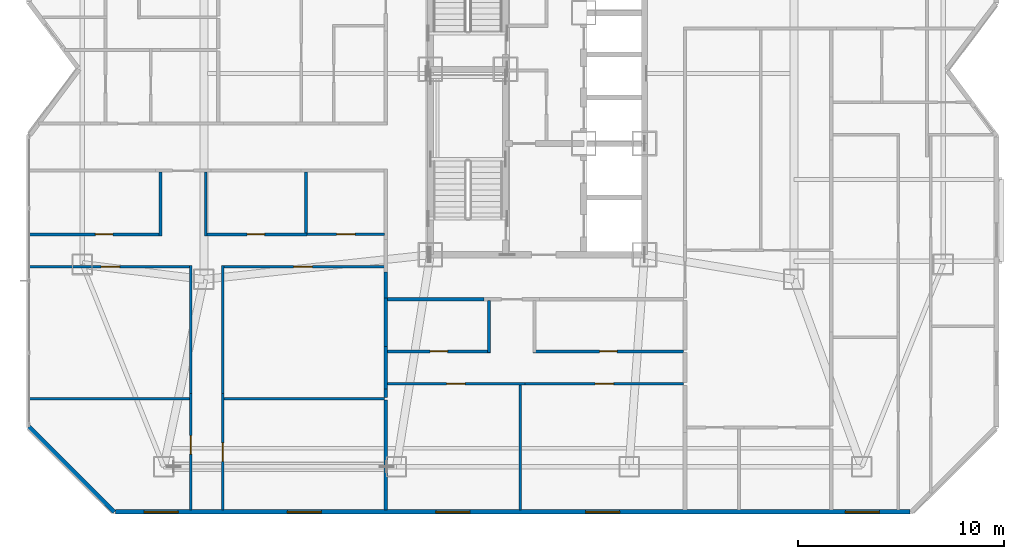
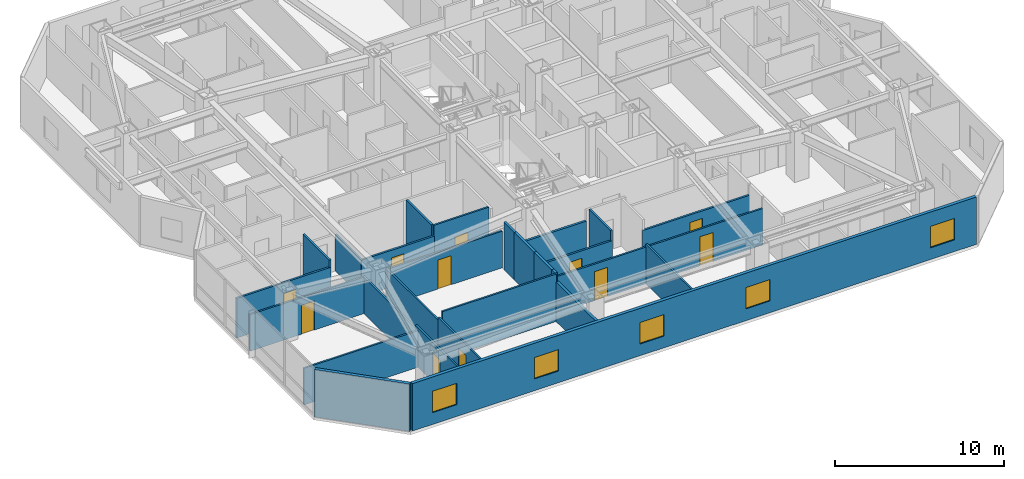
# One storey, part 11 of 19: 28 walls, 11 doors, 5 windows, 16 openings.
"""IFC4 building model written with IfcOpenShell, lengths in metres."""

from ifc_helpers import new_model, si_unit, direction, frame, frame_2d, origin, place, context, subcontext, project, spatial, rectangle, extrude, material, layer, layer_set, type_object, element, fill, save


model = new_model("IFC4")

# Units and contexts
model_context = context("Model", 3, precision=1e-05, world=origin(), true_north=direction((0.0, 1.0)))
body_context = subcontext(model_context, "Body", "Model", "MODEL_VIEW")
ifc_project = project(units=[si_unit("LENGTHUNIT", "METRE"), si_unit("AREAUNIT", "SQUARE_METRE"), si_unit("VOLUMEUNIT", "CUBIC_METRE"), si_unit("PLANEANGLEUNIT", "RADIAN"), si_unit("MASSUNIT", "GRAM", prefix="KILO")], contexts=[model_context])

# Site, building, storey
site_placement = place(None, origin())
site = spatial("IfcSite", under=ifc_project, at=site_placement, CompositionType="ELEMENT")
building_placement = place(site_placement, origin())
building = spatial("IfcBuilding", under=site, at=building_placement, Name="Khamvora Tower", CompositionType="ELEMENT")
storey_placement = place(building_placement, frame((0.0, 0.0, 120.14990234375)))
storey = spatial("IfcBuildingStorey", under=building, at=storey_placement, Name="L30", CompositionType="ELEMENT", Elevation=120.14990234375)

# Walls
ifc_material_1 = material(Name="Fire-Rated Drywall and Steel Stud", Category="steel")
ifc_layer_1 = layer(ifc_material_1, 0.14990234375)
ifc_layer_set_1 = layer_set([ifc_layer_1], Name="Fire-Rated Drywall and Steel Stud")
wall_type_1 = type_object("IfcWallType", Name="WAL-CORR-150", PredefinedType="STANDARD", material=ifc_layer_set_1)
wall_1_placement = place(storey_placement, frame((26.8349609375, 16.89990234375, 0.0), z_axis=(0.0, 0.0, 1.0), x_axis=(0.0, 1.0, 0.0)))
element("IfcWall", 1, at=wall_1_placement, inside=storey, type_object=wall_type_1, Name="L30 interior partition wall 013", PredefinedType="STANDARD", context=body_context, shape_type="SweptSolid", body=[
    extrude(rectangle(XDim=1.254150390625, YDim=0.14990234375, at=frame_2d((0.626953125, 0.0))), origin(), (0.0, 0.0, 1.0), 3.43017578125),
])
wall_2_placement = place(storey_placement, frame((31.60107421875, 16.8349609375, 0.0), z_axis=(0.0, 0.0, 1.0), x_axis=(-1.0, 0.0, 0.0)))
element("IfcWall", 2, at=wall_2_placement, inside=storey, type_object=wall_type_1, Name="L30 interior partition wall 025", PredefinedType="STANDARD", context=body_context, shape_type="SweptSolid", body=[
    extrude(rectangle(XDim=4.701171875, YDim=0.14990234375, at=frame_2d((2.3505859375, 0.0))), origin(), (0.0, 0.0, 1.0), 2.647216796875),
])
ifc_material_2 = material(Name="Acoustic Double-Stud Fire Wall", Category="gypsum")
ifc_layer_2 = layer(ifc_material_2, 0.179931640625)
ifc_layer_set_2 = layer_set([ifc_layer_2], Name="Acoustic Double-Stud Fire Wall")
wall_type_2 = type_object("IfcWallType", Name="WAL-CORR-180", PredefinedType="STANDARD", material=ifc_layer_set_2)
wall_3_placement = place(storey_placement, frame((26.8349609375, 11.93896484375, 0.0), z_axis=(0.0, 0.0, 1.0), x_axis=(0.0, -1.0, 0.0)))
element("IfcWall", 3, at=wall_3_placement, inside=storey, type_object=wall_type_2, Name="L30 interior partition wall 060", PredefinedType="STANDARD", context=body_context, shape_type="SweptSolid", body=[
    extrude(rectangle(XDim=5.326904296875, YDim=0.179931640625, at=frame_2d((2.66357421875, 0.0))), origin(), (0.0, 0.0, 1.0), 2.8759765625),
])
wall_4_placement = place(storey_placement, frame((26.8349609375, 14.553955078125, 0.0), z_axis=(0.0, 0.0, 1.0), x_axis=(0.0, -1.0, 0.0)))
element("IfcWall", 4, at=wall_4_placement, inside=storey, type_object=wall_type_2, Name="L30 interior partition wall 061", PredefinedType="STANDARD", context=body_context, shape_type="SweptSolid", body=[
    extrude(rectangle(XDim=2.077880859375, YDim=0.179931640625, at=frame_2d((1.0390625, 0.0))), origin(), (0.0, 0.0, 1.0), 3.43017578125),
])
wall_5_placement = place(storey_placement, frame((26.8349609375, 16.89990234375, 0.0), z_axis=(0.0, 0.0, 1.0), x_axis=(0.0, -1.0, 0.0)))
element("IfcWall", 5, at=wall_5_placement, inside=storey, type_object=wall_type_2, Name="L30 interior partition wall 062", PredefinedType="STANDARD", context=body_context, shape_type="SweptSolid", body=[
    extrude(rectangle(XDim=2.345947265625, YDim=0.179931640625, at=frame_2d((1.1728515625, 0.0))), origin(), (0.0, 0.0, 1.0), 3.43017578125),
])
wall_6_placement = place(storey_placement, frame((26.8349609375, 12.47607421875, 0.0), z_axis=(0.0, 0.0, 1.0), x_axis=(0.0, -1.0, 0.0)))
element("IfcWall", 6, at=wall_6_placement, inside=storey, type_object=wall_type_2, Name="L30 interior partition wall 063", PredefinedType="STANDARD", context=body_context, shape_type="SweptSolid", body=[
    extrude(rectangle(XDim=0.406982421875, YDim=0.179931640625, at=frame_2d((0.20361328125, 0.0))), origin(), (0.0, 0.0, 1.0), 3.43017578125),
])
ifc_material_3 = material(Name="Precast concrete C40/50", Category="concrete")
ifc_layer_3 = layer(ifc_material_3, 0.219970703125)
ifc_layer_set_3 = layer_set([ifc_layer_3], Name="Precast concrete C40/50")
wall_type_3 = type_object("IfcWallType", Name="WAL-EXT-220", PredefinedType="STANDARD", material=ifc_layer_set_3)
wall_7_placement = place(storey_placement, frame((13.64599609375, 6.510009765625, 0.0), z_axis=(0.0, 0.0, 1.0), x_axis=(-0.707106781187, 0.707106781187, 0.0)))
element("IfcWall", 7, at=wall_7_placement, inside=storey, type_object=wall_type_3, Name="L30 exterior facade wall 01.1", PredefinedType="STANDARD", context=body_context, shape_type="SweptSolid", body=[
    extrude(rectangle(XDim=5.84912109375, YDim=0.219970703125, at=frame_2d((2.924560546875, 0.0))), origin(), (0.0, 0.0, 1.0), 3.43017578125),
])

# Wall, openings, windows
wall_8_placement = place(storey_placement, frame((52.282958984375, 6.510009765625, 0.0), z_axis=(0.0, 0.0, 1.0), x_axis=(-1.0, 0.0, 0.0)))
wall_8 = element("IfcWall", 8, at=wall_8_placement, inside=storey, type_object=wall_type_3, Name="L30 exterior facade wall 14.1", PredefinedType="STANDARD", context=body_context, shape_type="SweptSolid", body=[
    extrude(rectangle(XDim=38.56787109375, YDim=0.219970703125, at=frame_2d((19.283935546875, 0.0))), origin(), (0.0, 0.0, 1.0), 3.43017578125),
])
opening_1_placement = place(wall_8_placement, frame((35.530029296875, 0.0, 0.85009765625)))
opening_1 = element("IfcOpeningElement", 9, at=opening_1_placement, cuts=wall_8, Name="Opening WN-06", PredefinedType="OPENING", context=body_context, shape_type="SweptSolid", body=[
    extrude(rectangle(XDim=1.64990234375, YDim=1.550048828125, at=frame_2d((0.824951171875, 0.77490234375))), frame((0.0, 0.119873046875, 0.0), z_axis=(0.0, -1.0, 0.0), x_axis=(1.0, 0.0, 0.0)), (0.0, 0.0, 1.0), 0.239990234375),
])
opening_2_placement = place(wall_8_placement, frame((28.577880859375, 0.0, 0.85009765625)))
opening_2 = element("IfcOpeningElement", 10, at=opening_2_placement, cuts=wall_8, Name="Opening WN-06", PredefinedType="OPENING", context=body_context, shape_type="SweptSolid", body=[
    extrude(rectangle(XDim=1.64990234375, YDim=1.550048828125, at=frame_2d((0.824951171875, 0.77490234375))), frame((0.0, 0.119873046875, 0.0), z_axis=(0.0, -1.0, 0.0), x_axis=(1.0, 0.0, 0.0)), (0.0, 0.0, 1.0), 0.239990234375),
])
opening_3_placement = place(wall_8_placement, frame((21.362060546875, 0.0, 0.85009765625)))
opening_3 = element("IfcOpeningElement", 11, at=opening_3_placement, cuts=wall_8, Name="Opening WN-06", PredefinedType="OPENING", context=body_context, shape_type="SweptSolid", body=[
    extrude(rectangle(XDim=1.64990234375, YDim=1.550048828125, at=frame_2d((0.824951171875, 0.77490234375))), frame((0.0, 0.119873046875, 0.0), z_axis=(0.0, -1.0, 0.0), x_axis=(1.0, 0.0, 0.0)), (0.0, 0.0, 1.0), 0.239990234375),
])
opening_4_placement = place(wall_8_placement, frame((14.096923828125, 0.0, 0.85009765625)))
opening_4 = element("IfcOpeningElement", 12, at=opening_4_placement, cuts=wall_8, Name="Opening WN-06", PredefinedType="OPENING", context=body_context, shape_type="SweptSolid", body=[
    extrude(rectangle(XDim=1.64990234375, YDim=1.550048828125, at=frame_2d((0.824951171875, 0.77490234375))), frame((0.0, 0.119873046875, 0.0), z_axis=(0.0, -1.0, 0.0), x_axis=(1.0, 0.0, 0.0)), (0.0, 0.0, 1.0), 0.239990234375),
])
opening_5_placement = place(wall_8_placement, frame((1.47900390625, 0.0, 0.85009765625)))
opening_5 = element("IfcOpeningElement", 13, at=opening_5_placement, cuts=wall_8, Name="Opening WN-06", PredefinedType="OPENING", context=body_context, shape_type="SweptSolid", body=[
    extrude(rectangle(XDim=1.64990234375, YDim=1.550048828125, at=frame_2d((0.824951171875, 0.77490234375))), frame((0.0, 0.119873046875, 0.0), z_axis=(0.0, -1.0, 0.0), x_axis=(1.0, 0.0, 0.0)), (0.0, 0.0, 1.0), 0.239990234375),
])
ifc_material_4 = material(Name="Low-E Laminated Double Glazing", Category="glass")
window_type = type_object("IfcWindowType", Name="WIN-VIS-1650x1550", PartitioningType="SINGLE_PANEL", PredefinedType="WINDOW", material=ifc_material_4)
window_1_placement = place(opening_1_placement, origin())
window_1 = element("IfcWindow", 14, at=window_1_placement, inside=storey, type_object=window_type, Name="L30 vision window 14.1.01", OverallHeight=1.550048828125, OverallWidth=1.64990234375, PartitioningType="SINGLE_PANEL", PredefinedType="WINDOW", context=body_context, shape_type="SweptSolid", body=[
    extrude(rectangle(XDim=1.64990234375, YDim=1.550048828125, at=frame_2d((0.824951171875, 0.77490234375))), frame((0.0, 0.030029296875, 0.0), z_axis=(0.0, -1.0, 0.0), x_axis=(1.0, 0.0, 0.0)), (0.0, 0.0, 1.0), 0.06005859375),
])
fill(opening_1, window_1)
window_2_placement = place(opening_2_placement, origin())
window_2 = element("IfcWindow", 15, at=window_2_placement, inside=storey, type_object=window_type, Name="L30 vision window 14.1.02", OverallHeight=1.550048828125, OverallWidth=1.64990234375, PartitioningType="SINGLE_PANEL", PredefinedType="WINDOW", context=body_context, shape_type="SweptSolid", body=[
    extrude(rectangle(XDim=1.64990234375, YDim=1.550048828125, at=frame_2d((0.824951171875, 0.77490234375))), frame((0.0, 0.030029296875, 0.0), z_axis=(0.0, -1.0, 0.0), x_axis=(1.0, 0.0, 0.0)), (0.0, 0.0, 1.0), 0.06005859375),
])
fill(opening_2, window_2)
window_3_placement = place(opening_3_placement, origin())
window_3 = element("IfcWindow", 16, at=window_3_placement, inside=storey, type_object=window_type, Name="L30 vision window 14.1.03", OverallHeight=1.550048828125, OverallWidth=1.64990234375, PartitioningType="SINGLE_PANEL", PredefinedType="WINDOW", context=body_context, shape_type="SweptSolid", body=[
    extrude(rectangle(XDim=1.64990234375, YDim=1.550048828125, at=frame_2d((0.824951171875, 0.77490234375))), frame((0.0, 0.030029296875, 0.0), z_axis=(0.0, -1.0, 0.0), x_axis=(1.0, 0.0, 0.0)), (0.0, 0.0, 1.0), 0.06005859375),
])
fill(opening_3, window_3)
window_4_placement = place(opening_4_placement, origin())
window_4 = element("IfcWindow", 17, at=window_4_placement, inside=storey, type_object=window_type, Name="L30 vision window 14.1.04", OverallHeight=1.550048828125, OverallWidth=1.64990234375, PartitioningType="SINGLE_PANEL", PredefinedType="WINDOW", context=body_context, shape_type="SweptSolid", body=[
    extrude(rectangle(XDim=1.64990234375, YDim=1.550048828125, at=frame_2d((0.824951171875, 0.77490234375))), frame((0.0, 0.030029296875, 0.0), z_axis=(0.0, -1.0, 0.0), x_axis=(1.0, 0.0, 0.0)), (0.0, 0.0, 1.0), 0.06005859375),
])
fill(opening_4, window_4)
window_5_placement = place(opening_5_placement, origin())
window_5 = element("IfcWindow", 18, at=window_5_placement, inside=storey, type_object=window_type, Name="L30 vision window 14.1.05", OverallHeight=1.550048828125, OverallWidth=1.64990234375, PartitioningType="SINGLE_PANEL", PredefinedType="WINDOW", context=body_context, shape_type="SweptSolid", body=[
    extrude(rectangle(XDim=1.64990234375, YDim=1.550048828125, at=frame_2d((0.824951171875, 0.77490234375))), frame((0.0, 0.030029296875, 0.0), z_axis=(0.0, -1.0, 0.0), x_axis=(1.0, 0.0, 0.0)), (0.0, 0.0, 1.0), 0.06005859375),
])
fill(opening_5, window_5)

# Wall, opening, door
ifc_material_5 = material(Name="Gypsum Plasterboard Partition", Category="gypsum")
ifc_layer_4 = layer(ifc_material_5, 0.1201171875)
ifc_layer_set_4 = layer_set([ifc_layer_4], Name="Gypsum Plasterboard Partition")
wall_type_4 = type_object("IfcWallType", Name="WAL-PART-120", PredefinedType="PARTITIONING", material=ifc_layer_set_4)
wall_9_placement = place(storey_placement, frame((26.77001953125, 19.98291015625, 0.0), z_axis=(0.0, 0.0, 1.0), x_axis=(-1.0, 0.0, 0.0)))
wall_9 = element("IfcWall", 19, at=wall_9_placement, inside=storey, type_object=wall_type_4, Name="L30 interior partition wall 046", PredefinedType="PARTITIONING", context=body_context, shape_type="SweptSolid", body=[
    extrude(rectangle(XDim=3.75, YDim=0.1201171875, at=frame_2d((1.875, 0.0))), origin(), (0.0, 0.0, 1.0), 3.43017578125),
])
opening_6_placement = place(wall_9_placement, frame((1.425048828125, 0.0, 0.0)))
opening_6 = element("IfcOpeningElement", 20, at=opening_6_placement, cuts=wall_9, Name="Opening D-RM1", PredefinedType="OPENING", context=body_context, shape_type="SweptSolid", body=[
    extrude(rectangle(XDim=0.89990234375, YDim=2.10009765625, at=frame_2d((0.449951171875, 1.050048828125))), frame((0.0, 0.070068359375, 0.0), z_axis=(0.0, -1.0, 0.0), x_axis=(1.0, 0.0, 0.0)), (0.0, 0.0, 1.0), 0.14013671875),
])
ifc_material_6 = material(Name="Powder-Coated Steel and Hardwood Leaf", Category="steel")
door_type_1 = type_object("IfcDoorType", Name="DOR-ROOM-900", OperationType="NOTDEFINED", PredefinedType="DOOR", material=ifc_material_6)
door_1_placement = place(opening_6_placement, origin())
door_1 = element("IfcDoor", 21, at=door_1_placement, inside=storey, type_object=door_type_1, Name="L30 interior door 30WAW2-30WAH", OperationType="SINGLE_SWING_RIGHT", OverallHeight=2.10009765625, OverallWidth=0.89990234375, PredefinedType="DOOR", context=body_context, shape_type="SweptSolid", body=[
    extrude(rectangle(XDim=0.89990234375, YDim=2.10009765625, at=frame_2d((0.449951171875, 1.050048828125))), frame((0.0, 0.02490234375, 0.0), z_axis=(0.0, -1.0, 0.0), x_axis=(1.0, 0.0, 0.0)), (0.0, 0.0, 1.0), 0.050048828125),
])
fill(opening_6, door_1)

wall_10_placement = place(storey_placement, frame((17.35498046875, 6.612060546875, 0.0), z_axis=(0.0, 0.0, 1.0), x_axis=(0.0, 1.0, 0.0)))
wall_10 = element("IfcWall", 22, at=wall_10_placement, inside=storey, type_object=wall_type_4, Name="L30 interior partition wall 052", PredefinedType="PARTITIONING", context=body_context, shape_type="SweptSolid", body=[
    extrude(rectangle(XDim=5.641845703125, YDim=0.1201171875, at=frame_2d((2.82080078125, 0.0))), origin(), (0.0, 0.0, 1.0), 2.8759765625),
])
opening_7_placement = place(wall_10_placement, frame((2.700927734375, 0.0, 0.0)))
opening_7 = element("IfcOpeningElement", 23, at=opening_7_placement, cuts=wall_10, Name="Opening D-RM1", PredefinedType="OPENING", context=body_context, shape_type="SweptSolid", body=[
    extrude(rectangle(XDim=0.89990234375, YDim=2.10009765625, at=frame_2d((0.449951171875, 1.050048828125))), frame((0.0, 0.070068359375, 0.0), z_axis=(0.0, -1.0, 0.0), x_axis=(1.0, 0.0, 0.0)), (0.0, 0.0, 1.0), 0.14013671875),
])
door_2_placement = place(opening_7_placement, origin())
door_2 = element("IfcDoor", 24, at=door_2_placement, inside=storey, type_object=door_type_1, Name="L30 interior door 30WAH-30WAL", OperationType="SINGLE_SWING_RIGHT", OverallHeight=2.10009765625, OverallWidth=0.89990234375, PredefinedType="DOOR", context=body_context, shape_type="SweptSolid", body=[
    extrude(rectangle(XDim=0.89990234375, YDim=2.10009765625, at=frame_2d((0.449951171875, 1.050048828125))), frame((0.0, 0.02490234375, 0.0), z_axis=(0.0, -1.0, 0.0), x_axis=(1.0, 0.0, 0.0)), (0.0, 0.0, 1.0), 0.050048828125),
])
fill(opening_7, door_2)

# Wall
wall_11_placement = place(storey_placement, frame((17.35498046875, 12.25390625, 0.0), z_axis=(0.0, 0.0, 1.0), x_axis=(0.0, 1.0, 0.0)))
element("IfcWall", 25, at=wall_11_placement, inside=storey, type_object=wall_type_4, Name="L30 interior partition wall 053", PredefinedType="PARTITIONING", context=body_context, shape_type="SweptSolid", body=[
    extrude(rectangle(XDim=6.214111328125, YDim=0.1201171875, at=frame_2d((3.10693359375, 0.0))), origin(), (0.0, 0.0, 1.0), 2.647216796875),
])

# Wall, opening, door
wall_12_placement = place(storey_placement, frame((17.419921875, 18.403076171875, 0.0), z_axis=(0.0, 0.0, 1.0), x_axis=(-1.0, 0.0, 0.0)))
wall_12 = element("IfcWall", 26, at=wall_12_placement, inside=storey, type_object=wall_type_4, Name="L30 interior partition wall 054", PredefinedType="PARTITIONING", context=body_context, shape_type="SweptSolid", body=[
    extrude(rectangle(XDim=7.909912109375, YDim=0.1201171875, at=frame_2d((3.955078125, 0.0))), origin(), (0.0, 0.0, 1.0), 2.647216796875),
])
opening_8_placement = place(wall_12_placement, frame((3.5048828125, 0.0, 0.0)))
opening_8 = element("IfcOpeningElement", 27, at=opening_8_placement, cuts=wall_12, Name="Opening D-RM1", PredefinedType="OPENING", context=body_context, shape_type="SweptSolid", body=[
    extrude(rectangle(XDim=0.89990234375, YDim=2.10009765625, at=frame_2d((0.449951171875, 1.050048828125))), frame((0.0, 0.070068359375, 0.0), z_axis=(0.0, -1.0, 0.0), x_axis=(1.0, 0.0, 0.0)), (0.0, 0.0, 1.0), 0.14013671875),
])
door_3_placement = place(opening_8_placement, origin())
door_3 = element("IfcDoor", 28, at=door_3_placement, inside=storey, type_object=door_type_1, Name="L30 interior door 30WAH-30WAR2", OperationType="SINGLE_SWING_LEFT", OverallHeight=2.10009765625, OverallWidth=0.89990234375, PredefinedType="DOOR", context=body_context, shape_type="SweptSolid", body=[
    extrude(rectangle(XDim=0.89990234375, YDim=2.10009765625, at=frame_2d((0.449951171875, 1.050048828125))), frame((0.0, 0.02490234375, 0.0), z_axis=(0.0, -1.0, 0.0), x_axis=(1.0, 0.0, 0.0)), (0.0, 0.0, 1.0), 0.050048828125),
])
fill(opening_8, door_3)

wall_13_placement = place(storey_placement, frame((18.925048828125, 12.25390625, 0.0), z_axis=(0.0, 0.0, 1.0), x_axis=(0.0, -1.0, 0.0)))
wall_13 = element("IfcWall", 29, at=wall_13_placement, inside=storey, type_object=wall_type_4, Name="L30 interior partition wall 055", PredefinedType="PARTITIONING", context=body_context, shape_type="SweptSolid", body=[
    extrude(rectangle(XDim=5.641845703125, YDim=0.1201171875, at=frame_2d((2.82080078125, 0.0))), origin(), (0.0, 0.0, 1.0), 2.8759765625),
])
opening_9_placement = place(wall_13_placement, frame((2.39306640625, 0.0, 0.0)))
opening_9 = element("IfcOpeningElement", 30, at=opening_9_placement, cuts=wall_13, Name="Opening D-RM1", PredefinedType="OPENING", context=body_context, shape_type="SweptSolid", body=[
    extrude(rectangle(XDim=0.89990234375, YDim=2.10009765625, at=frame_2d((0.449951171875, 1.050048828125))), frame((0.0, 0.070068359375, 0.0), z_axis=(0.0, -1.0, 0.0), x_axis=(1.0, 0.0, 0.0)), (0.0, 0.0, 1.0), 0.14013671875),
])
door_4_placement = place(opening_9_placement, origin())
door_4 = element("IfcDoor", 31, at=door_4_placement, inside=storey, type_object=door_type_1, Name="L30 interior door 30WAH-30WAR3", OperationType="SINGLE_SWING_LEFT", OverallHeight=2.10009765625, OverallWidth=0.89990234375, PredefinedType="DOOR", context=body_context, shape_type="SweptSolid", body=[
    extrude(rectangle(XDim=0.89990234375, YDim=2.10009765625, at=frame_2d((0.449951171875, 1.050048828125))), frame((0.0, 0.02490234375, 0.0), z_axis=(0.0, -1.0, 0.0), x_axis=(1.0, 0.0, 0.0)), (0.0, 0.0, 1.0), 0.050048828125),
])
fill(opening_9, door_4)

wall_14_placement = place(storey_placement, frame((26.77001953125, 18.403076171875, 0.0), z_axis=(0.0, 0.0, 1.0), x_axis=(-1.0, 0.0, 0.0)))
wall_14 = element("IfcWall", 32, at=wall_14_placement, inside=storey, type_object=wall_type_4, Name="L30 interior partition wall 056", PredefinedType="PARTITIONING", context=body_context, shape_type="SweptSolid", body=[
    extrude(rectangle(XDim=7.909912109375, YDim=0.1201171875, at=frame_2d((3.955078125, 0.0))), origin(), (0.0, 0.0, 1.0), 2.647216796875),
])
opening_10_placement = place(wall_14_placement, frame((3.5048828125, 0.0, 0.0)))
opening_10 = element("IfcOpeningElement", 33, at=opening_10_placement, cuts=wall_14, Name="Opening D-RM1", PredefinedType="OPENING", context=body_context, shape_type="SweptSolid", body=[
    extrude(rectangle(XDim=0.89990234375, YDim=2.10009765625, at=frame_2d((0.449951171875, 1.050048828125))), frame((0.0, 0.070068359375, 0.0), z_axis=(0.0, -1.0, 0.0), x_axis=(1.0, 0.0, 0.0)), (0.0, 0.0, 1.0), 0.14013671875),
])
door_5_placement = place(opening_10_placement, origin())
door_5 = element("IfcDoor", 34, at=door_5_placement, inside=storey, type_object=door_type_1, Name="L30 interior door 30WAH-30WAR4", OperationType="SINGLE_SWING_RIGHT", OverallHeight=2.10009765625, OverallWidth=0.89990234375, PredefinedType="DOOR", context=body_context, shape_type="SweptSolid", body=[
    extrude(rectangle(XDim=0.89990234375, YDim=2.10009765625, at=frame_2d((0.449951171875, 1.050048828125))), frame((0.0, 0.02490234375, 0.0), z_axis=(0.0, -1.0, 0.0), x_axis=(1.0, 0.0, 0.0)), (0.0, 0.0, 1.0), 0.050048828125),
])
fill(opening_10, door_5)

# Walls
wall_15_placement = place(storey_placement, frame((18.925048828125, 18.468017578125, 0.0), z_axis=(0.0, 0.0, 1.0), x_axis=(0.0, -1.0, 0.0)))
element("IfcWall", 35, at=wall_15_placement, inside=storey, type_object=wall_type_4, Name="L30 interior partition wall 057", PredefinedType="PARTITIONING", context=body_context, shape_type="SweptSolid", body=[
    extrude(rectangle(XDim=6.214111328125, YDim=0.1201171875, at=frame_2d((3.10693359375, 0.0))), origin(), (0.0, 0.0, 1.0), 2.647216796875),
])
wall_16_placement = place(storey_placement, frame((9.510009765625, 12.00390625, 0.0), z_axis=(0.0, 0.0, 1.0), x_axis=(1.0, 0.0, 0.0)))
element("IfcWall", 36, at=wall_16_placement, inside=storey, type_object=wall_type_4, Name="L30 interior partition wall 058", PredefinedType="PARTITIONING", context=body_context, shape_type="SweptSolid", body=[
    extrude(rectangle(XDim=7.791015625, YDim=0.1201171875, at=frame_2d((3.8955078125, 0.0))), origin(), (0.0, 0.0, 1.0), 2.647216796875),
])
wall_17_placement = place(storey_placement, frame((18.97900390625, 12.00390625, 0.0), z_axis=(0.0, 0.0, 1.0), x_axis=(1.0, 0.0, 0.0)))
element("IfcWall", 37, at=wall_17_placement, inside=storey, type_object=wall_type_4, Name="L30 interior partition wall 059", PredefinedType="PARTITIONING", context=body_context, shape_type="SweptSolid", body=[
    extrude(rectangle(XDim=7.791015625, YDim=0.1201171875, at=frame_2d((3.8955078125, 0.0))), origin(), (0.0, 0.0, 1.0), 3.43017578125),
])

# Wall, opening, door
wall_18_placement = place(storey_placement, frame((33.60693359375, 12.72509765625, 0.0), z_axis=(0.0, 0.0, 1.0), x_axis=(-1.0, 0.0, 0.0)))
wall_18 = element("IfcWall", 38, at=wall_18_placement, inside=storey, type_object=wall_type_4, Name="L30 interior partition wall 103", PredefinedType="PARTITIONING", context=body_context, shape_type="SweptSolid", body=[
    extrude(rectangle(XDim=6.68994140625, YDim=0.1201171875, at=frame_2d((3.344970703125, 0.0))), origin(), (0.0, 0.0, 1.0), 2.647216796875),
])
opening_11_placement = place(wall_18_placement, frame((2.9169921875, 0.0, 0.0)))
opening_11 = element("IfcOpeningElement", 39, at=opening_11_placement, cuts=wall_18, Name="Opening D-RM1", PredefinedType="OPENING", context=body_context, shape_type="SweptSolid", body=[
    extrude(rectangle(XDim=0.89990234375, YDim=2.10009765625, at=frame_2d((0.449951171875, 1.050048828125))), frame((0.0, 0.070068359375, 0.0), z_axis=(0.0, -1.0, 0.0), x_axis=(1.0, 0.0, 0.0)), (0.0, 0.0, 1.0), 0.14013671875),
])
door_6_placement = place(opening_11_placement, origin())
door_6 = element("IfcDoor", 40, at=door_6_placement, inside=storey, type_object=door_type_1, Name="L30 interior door 30SAH-30SAR1", OperationType="SINGLE_SWING_LEFT", OverallHeight=2.10009765625, OverallWidth=0.89990234375, PredefinedType="DOOR", context=body_context, shape_type="SweptSolid", body=[
    extrude(rectangle(XDim=0.89990234375, YDim=2.10009765625, at=frame_2d((0.449951171875, 1.050048828125))), frame((0.0, 0.02490234375, 0.0), z_axis=(0.0, -1.0, 0.0), x_axis=(1.0, 0.0, 0.0)), (0.0, 0.0, 1.0), 0.050048828125),
])
fill(opening_11, door_6)

wall_19_placement = place(storey_placement, frame((41.300048828125, 12.72509765625, 0.0), z_axis=(0.0, 0.0, 1.0), x_axis=(-1.0, 0.0, 0.0)))
wall_19 = element("IfcWall", 41, at=wall_19_placement, inside=storey, type_object=wall_type_4, Name="L30 interior partition wall 104", PredefinedType="PARTITIONING", context=body_context, shape_type="SweptSolid", body=[
    extrude(rectangle(XDim=7.693115234375, YDim=0.1201171875, at=frame_2d((3.8466796875, 0.0))), origin(), (0.0, 0.0, 1.0), 2.647216796875),
])
opening_12_placement = place(wall_19_placement, frame((3.39599609375, 0.0, 0.0)))
opening_12 = element("IfcOpeningElement", 42, at=opening_12_placement, cuts=wall_19, Name="Opening D-RM1", PredefinedType="OPENING", context=body_context, shape_type="SweptSolid", body=[
    extrude(rectangle(XDim=0.89990234375, YDim=2.10009765625, at=frame_2d((0.449951171875, 1.050048828125))), frame((0.0, 0.070068359375, 0.0), z_axis=(0.0, -1.0, 0.0), x_axis=(1.0, 0.0, 0.0)), (0.0, 0.0, 1.0), 0.14013671875),
])
door_7_placement = place(opening_12_placement, origin())
door_7 = element("IfcDoor", 43, at=door_7_placement, inside=storey, type_object=door_type_1, Name="L30 interior door 30SAH-30SAR2", OperationType="SINGLE_SWING_RIGHT", OverallHeight=2.10009765625, OverallWidth=0.89990234375, PredefinedType="DOOR", context=body_context, shape_type="SweptSolid", body=[
    extrude(rectangle(XDim=0.89990234375, YDim=2.10009765625, at=frame_2d((0.449951171875, 1.050048828125))), frame((0.0, 0.02490234375, 0.0), z_axis=(0.0, -1.0, 0.0), x_axis=(1.0, 0.0, 0.0)), (0.0, 0.0, 1.0), 0.050048828125),
])
fill(opening_12, door_7)

# Walls
wall_20_placement = place(storey_placement, frame((33.35693359375, 12.6708984375, 0.0), z_axis=(0.0, 0.0, 1.0), x_axis=(0.0, -1.0, 0.0)))
element("IfcWall", 44, at=wall_20_placement, inside=storey, type_object=wall_type_4, Name="L30 interior partition wall 107", PredefinedType="PARTITIONING", context=body_context, shape_type="SweptSolid", body=[
    extrude(rectangle(XDim=6.058837890625, YDim=0.1201171875, at=frame_2d((3.029296875, 0.0))), origin(), (0.0, 0.0, 1.0), 2.8759765625),
])
ifc_material_7 = material(Name="Moisture-Resistant Plasterboard Partition", Category="gypsum")
ifc_layer_5 = layer(ifc_material_7, 0.135009765625)
ifc_layer_set_5 = layer_set([ifc_layer_5], Name="Moisture-Resistant Plasterboard Partition")
wall_type_5 = type_object("IfcWallType", Name="WAL-WET-135", PredefinedType="PARTITIONING", material=ifc_layer_set_5)
wall_21_placement = place(storey_placement, frame((22.955078125, 20.048095703125, 0.0), z_axis=(0.0, 0.0, 1.0), x_axis=(0.0, 1.0, 0.0)))
element("IfcWall", 45, at=wall_21_placement, inside=storey, type_object=wall_type_5, Name="L30 interior partition wall 047", PredefinedType="PARTITIONING", context=body_context, shape_type="SweptSolid", body=[
    extrude(rectangle(XDim=2.971923828125, YDim=0.135009765625, at=frame_2d((1.48583984375, 0.0))), origin(), (0.0, 0.0, 1.0), 3.43017578125),
])
wall_22_placement = place(storey_placement, frame((18.090087890625, 23.02001953125, 0.0), z_axis=(0.0, 0.0, 1.0), x_axis=(0.0, -1.0, 0.0)))
element("IfcWall", 46, at=wall_22_placement, inside=storey, type_object=wall_type_5, Name="L30 interior partition wall 048", PredefinedType="PARTITIONING", context=body_context, shape_type="SweptSolid", body=[
    extrude(rectangle(XDim=3.10205078125, YDim=0.135009765625, at=frame_2d((1.551025390625, 0.0))), origin(), (0.0, 0.0, 1.0), 2.647216796875),
])

# Wall, opening, door
wall_23_placement = place(storey_placement, frame((18.02490234375, 19.98291015625, 0.0), z_axis=(0.0, 0.0, 1.0), x_axis=(1.0, 0.0, 0.0)))
wall_23 = element("IfcWall", 47, at=wall_23_placement, inside=storey, type_object=wall_type_5, Name="L30 interior partition wall 049", PredefinedType="PARTITIONING", context=body_context, shape_type="SweptSolid", body=[
    extrude(rectangle(XDim=4.9951171875, YDim=0.135009765625, at=frame_2d((2.49755859375, 0.0))), origin(), (0.0, 0.0, 1.0), 2.647216796875),
])
opening_13_placement = place(wall_23_placement, frame((2.072998046875, 0.0, 0.0)))
opening_13 = element("IfcOpeningElement", 48, at=opening_13_placement, cuts=wall_23, Name="Opening D-WC1", PredefinedType="OPENING", context=body_context, shape_type="SweptSolid", body=[
    extrude(rectangle(XDim=0.85009765625, YDim=2.10009765625, at=frame_2d((0.425048828125, 1.050048828125))), frame((0.0, 0.077392578125, 0.0), z_axis=(0.0, -1.0, 0.0), x_axis=(1.0, 0.0, 0.0)), (0.0, 0.0, 1.0), 0.155029296875),
])
door_type_2 = type_object("IfcDoorType", Name="DOR-WET-850", OperationType="NOTDEFINED", PredefinedType="DOOR", material=ifc_material_6)
door_8_placement = place(opening_13_placement, origin())
door_8 = element("IfcDoor", 49, at=door_8_placement, inside=storey, type_object=door_type_2, Name="L30 interior door 30WAH-30WAB", OperationType="SINGLE_SWING_LEFT", OverallHeight=2.10009765625, OverallWidth=0.85009765625, PredefinedType="DOOR", context=body_context, shape_type="SweptSolid", body=[
    extrude(rectangle(XDim=0.85009765625, YDim=2.10009765625, at=frame_2d((0.425048828125, 1.050048828125))), frame((0.0, 0.02490234375, 0.0), z_axis=(0.0, -1.0, 0.0), x_axis=(1.0, 0.0, 0.0)), (0.0, 0.0, 1.0), 0.050048828125),
])
fill(opening_13, door_8)

wall_24_placement = place(storey_placement, frame((9.510009765625, 19.98291015625, 0.0), z_axis=(0.0, 0.0, 1.0), x_axis=(1.0, 0.0, 0.0)))
wall_24 = element("IfcWall", 50, at=wall_24_placement, inside=storey, type_object=wall_type_5, Name="L30 interior partition wall 050", PredefinedType="PARTITIONING", context=body_context, shape_type="SweptSolid", body=[
    extrude(rectangle(XDim=6.445068359375, YDim=0.135009765625, at=frame_2d((3.22265625, 0.0))), origin(), (0.0, 0.0, 1.0), 2.8759765625),
])
opening_14_placement = place(wall_24_placement, frame((3.217041015625, 0.0, 0.0)))
opening_14 = element("IfcOpeningElement", 51, at=opening_14_placement, cuts=wall_24, Name="Opening D-RM2", PredefinedType="OPENING", context=body_context, shape_type="SweptSolid", body=[
    extrude(rectangle(XDim=0.85009765625, YDim=2.10009765625, at=frame_2d((0.425048828125, 1.050048828125))), frame((0.0, 0.077392578125, 0.0), z_axis=(0.0, -1.0, 0.0), x_axis=(1.0, 0.0, 0.0)), (0.0, 0.0, 1.0), 0.155029296875),
])
door_type_3 = type_object("IfcDoorType", Name="DOR-ROOM-850", OperationType="NOTDEFINED", PredefinedType="DOOR", material=ifc_material_6)
door_9_placement = place(opening_14_placement, origin())
door_9 = element("IfcDoor", 52, at=door_9_placement, inside=storey, type_object=door_type_3, Name="L30 interior door 30WAH-30WAK", OperationType="SINGLE_SWING_RIGHT", OverallHeight=2.10009765625, OverallWidth=0.85009765625, PredefinedType="DOOR", context=body_context, shape_type="SweptSolid", body=[
    extrude(rectangle(XDim=0.85009765625, YDim=2.10009765625, at=frame_2d((0.425048828125, 1.050048828125))), frame((0.0, 0.02490234375, 0.0), z_axis=(0.0, -1.0, 0.0), x_axis=(1.0, 0.0, 0.0)), (0.0, 0.0, 1.0), 0.050048828125),
])
fill(opening_14, door_9)

# Wall
wall_25_placement = place(storey_placement, frame((15.889892578125, 19.91796875, 0.0), z_axis=(0.0, 0.0, 1.0), x_axis=(0.0, 1.0, 0.0)))
element("IfcWall", 53, at=wall_25_placement, inside=storey, type_object=wall_type_5, Name="L30 interior partition wall 051", PredefinedType="PARTITIONING", context=body_context, shape_type="SweptSolid", body=[
    extrude(rectangle(XDim=3.10205078125, YDim=0.135009765625, at=frame_2d((1.551025390625, 0.0))), origin(), (0.0, 0.0, 1.0), 3.43017578125),
])

# Wall, opening, door
wall_26_placement = place(storey_placement, frame((26.9169921875, 14.304931640625, 0.0), z_axis=(0.0, 0.0, 1.0), x_axis=(1.0, 0.0, 0.0)))
wall_26 = element("IfcWall", 54, at=wall_26_placement, inside=storey, type_object=wall_type_5, Name="L30 interior partition wall 099", PredefinedType="PARTITIONING", context=body_context, shape_type="SweptSolid", body=[
    extrude(rectangle(XDim=4.998046875, YDim=0.135009765625, at=frame_2d((2.4990234375, 0.0))), origin(), (0.0, 0.0, 1.0), 2.647216796875),
])
opening_15_placement = place(wall_26_placement, frame((2.073974609375, 0.0, 0.0)))
opening_15 = element("IfcOpeningElement", 55, at=opening_15_placement, cuts=wall_26, Name="Opening D-WC1", PredefinedType="OPENING", context=body_context, shape_type="SweptSolid", body=[
    extrude(rectangle(XDim=0.85009765625, YDim=2.10009765625, at=frame_2d((0.425048828125, 1.050048828125))), frame((0.0, 0.077392578125, 0.0), z_axis=(0.0, -1.0, 0.0), x_axis=(1.0, 0.0, 0.0)), (0.0, 0.0, 1.0), 0.155029296875),
])
door_10_placement = place(opening_15_placement, origin())
door_10 = element("IfcDoor", 56, at=door_10_placement, inside=storey, type_object=door_type_2, Name="L30 interior door 30SAH-30SAB", OperationType="SINGLE_SWING_LEFT", OverallHeight=2.10009765625, OverallWidth=0.85009765625, PredefinedType="DOOR", context=body_context, shape_type="SweptSolid", body=[
    extrude(rectangle(XDim=0.85009765625, YDim=2.10009765625, at=frame_2d((0.425048828125, 1.050048828125))), frame((0.0, 0.02490234375, 0.0), z_axis=(0.0, -1.0, 0.0), x_axis=(1.0, 0.0, 0.0)), (0.0, 0.0, 1.0), 0.050048828125),
])
fill(opening_15, door_10)

# Wall
wall_27_placement = place(storey_placement, frame((31.85009765625, 14.239990234375, 0.0), z_axis=(0.0, 0.0, 1.0), x_axis=(0.0, 1.0, 0.0)))
element("IfcWall", 57, at=wall_27_placement, inside=storey, type_object=wall_type_5, Name="L30 interior partition wall 100", PredefinedType="PARTITIONING", context=body_context, shape_type="SweptSolid", body=[
    extrude(rectangle(XDim=2.530029296875, YDim=0.135009765625, at=frame_2d((1.26513671875, 0.0))), origin(), (0.0, 0.0, 1.0), 3.43017578125),
])

# Wall, opening, door
wall_28_placement = place(storey_placement, frame((33.985107421875, 14.304931640625, 0.0), z_axis=(0.0, 0.0, 1.0), x_axis=(1.0, 0.0, 0.0)))
wall_28 = element("IfcWall", 58, at=wall_28_placement, inside=storey, type_object=wall_type_5, Name="L30 interior partition wall 102", PredefinedType="PARTITIONING", context=body_context, shape_type="SweptSolid", body=[
    extrude(rectangle(XDim=7.31494140625, YDim=0.135009765625, at=frame_2d((3.657470703125, 0.0))), origin(), (0.0, 0.0, 1.0), 2.647216796875),
])
opening_16_placement = place(wall_28_placement, frame((3.23291015625, 0.0, 0.0)))
opening_16 = element("IfcOpeningElement", 59, at=opening_16_placement, cuts=wall_28, Name="Opening D-RM2", PredefinedType="OPENING", context=body_context, shape_type="SweptSolid", body=[
    extrude(rectangle(XDim=0.85009765625, YDim=2.10009765625, at=frame_2d((0.425048828125, 1.050048828125))), frame((0.0, 0.077392578125, 0.0), z_axis=(0.0, -1.0, 0.0), x_axis=(1.0, 0.0, 0.0)), (0.0, 0.0, 1.0), 0.155029296875),
])
door_11_placement = place(opening_16_placement, origin())
door_11 = element("IfcDoor", 60, at=door_11_placement, inside=storey, type_object=door_type_3, Name="L30 interior door 30SAH-30SAK", OperationType="SINGLE_SWING_RIGHT", OverallHeight=2.10009765625, OverallWidth=0.85009765625, PredefinedType="DOOR", context=body_context, shape_type="SweptSolid", body=[
    extrude(rectangle(XDim=0.85009765625, YDim=2.10009765625, at=frame_2d((0.425048828125, 1.050048828125))), frame((0.0, 0.02490234375, 0.0), z_axis=(0.0, -1.0, 0.0), x_axis=(1.0, 0.0, 0.0)), (0.0, 0.0, 1.0), 0.050048828125),
])
fill(opening_16, door_11)

save(model, "model.ifc")
